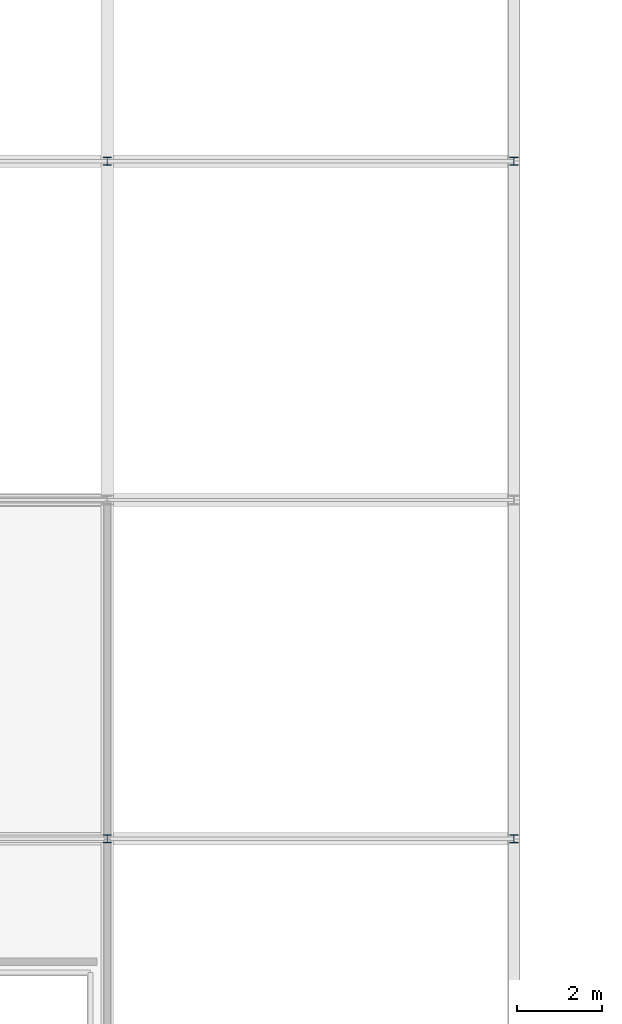
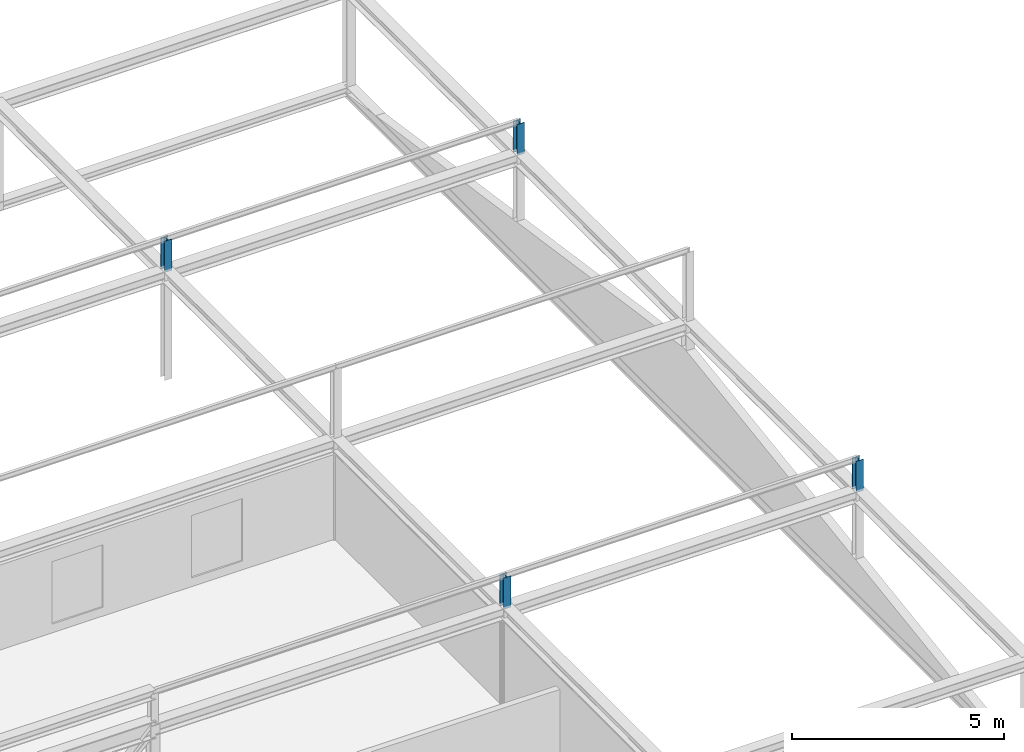
# One storey, part 10 of 34: 4 columns.
"""IFC4 building model written with IfcOpenShell, lengths in metres."""

from ifc_helpers import new_model, si_unit, direction, frame, origin, origin_2d, place, context, subcontext, project, spatial, i_section, extrude, material, material_profile, profile_set, type_object, element, save


model = new_model("IFC4")

# Units and contexts
model_context = context("Model", 3, precision=1e-05, world=origin(), true_north=direction((0.0, 1.0)))
body_context = subcontext(model_context, "Body", "Model", "MODEL_VIEW")
ifc_project = project(units=[si_unit("LENGTHUNIT", "METRE"), si_unit("AREAUNIT", "SQUARE_METRE"), si_unit("VOLUMEUNIT", "CUBIC_METRE"), si_unit("PLANEANGLEUNIT", "RADIAN"), si_unit("MASSUNIT", "GRAM", prefix="KILO")], contexts=[model_context])

# Site, building, storey
site_placement = place(None, origin())
site = spatial("IfcSite", under=ifc_project, at=site_placement, CompositionType="ELEMENT")
building_placement = place(site_placement, origin())
building = spatial("IfcBuilding", under=site, at=building_placement, Name="Alderhovde Museum", CompositionType="ELEMENT")
storey_placement = place(building_placement, frame((0.0, 0.0, 25.800048828125)))
storey = spatial("IfcBuildingStorey", under=building, at=storey_placement, Name="L05", CompositionType="ELEMENT", Elevation=25.800048828125)

# Columns
ifc_material = material(Name="Steel S355J2", Category="steel")
ifc_material_profile = material_profile(ifc_material, i_section(OverallWidth=0.199951171875, OverallDepth=0.18994140625, WebThickness=0.006591796875, FlangeThickness=0.010009765625, FilletRadius=0.01806640625, at=origin_2d()), Name="HEA 200")
ifc_profile_set = profile_set([ifc_material_profile], Name="Steel S355J2")
column_type = type_object("IfcColumnType", Name="COL-HEA200", PredefinedType="COLUMN", material=ifc_profile_set)
for number, where, z_axis, x_axis, name in (
    (1, (38.39990234375, 88.0, 2.849853515625), (0.0, 0.0, 1.0), (1.0, 0.0, 0.0), "Vol 4 Roof Post X=38.4 Y=88"),
    (2, (38.39990234375, 104.0, 2.849853515625), (0.0, 0.0, 1.0), (1.0, 0.0, 0.0), "Vol 4 Roof Post X=38.4 Y=104"),
    (3, (48.0, 88.0, 2.849853515625), (0.0, 0.0, 1.0), (1.0, 0.0, 0.0), "Vol 4 Roof Post X=48.0 Y=88"),
    (4, (48.0, 104.0, 2.849853515625), (0.0, 0.0, 1.0), (1.0, 0.0, 0.0), "Vol 4 Roof Post X=48.0 Y=104"),
):
    element("IfcColumn", number, at=place(storey_placement, frame(where, z_axis=z_axis, x_axis=x_axis)), inside=storey, type_object=column_type, Name=name, PredefinedType="COLUMN", context=body_context, shape_type="SweptSolid", body=[
        extrude(i_section(OverallWidth=0.199951171875, OverallDepth=0.18994140625, WebThickness=0.006591796875, FlangeThickness=0.010009765625, FilletRadius=0.01806640625, at=origin_2d()), origin(), (0.0, 0.0, 1.0), 0.900146484375),
    ])

save(model, "model.ifc")
